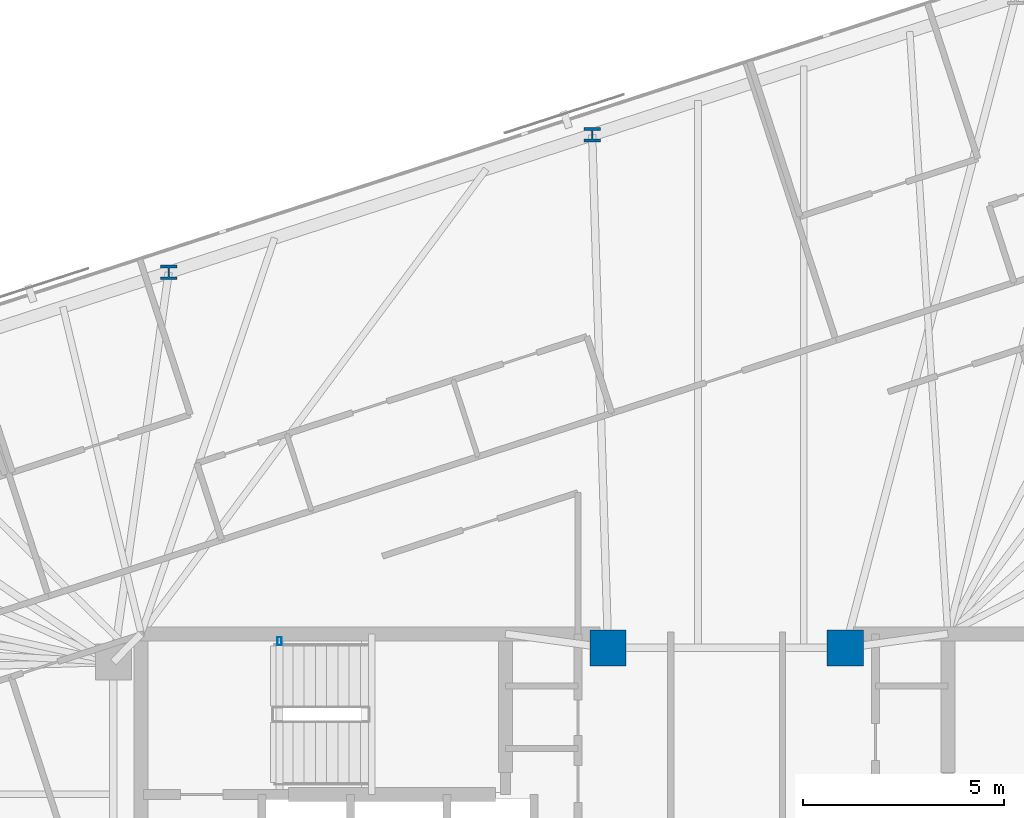
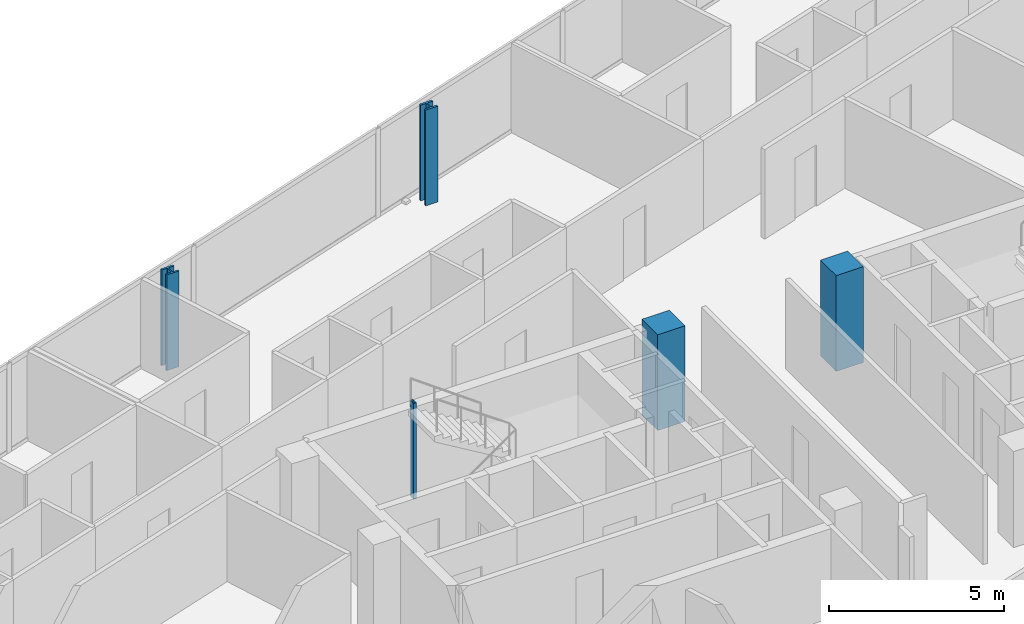
# One storey, part 2 of 20: 5 columns.
"""IFC4 building model written with IfcOpenShell, lengths in metres."""

from ifc_helpers import new_model, si_unit, direction, frame, origin, origin_2d, place, context, subcontext, project, spatial, rectangle, hollow_rectangle, i_section, extrude, material, material_profile, profile_set, type_object, element, save


model = new_model("IFC4")

# Units and contexts
model_context = context("Model", 3, precision=1e-05, world=origin(), true_north=direction((0.0, 1.0)))
body_context = subcontext(model_context, "Body", "Model", "MODEL_VIEW")
ifc_project = project(units=[si_unit("LENGTHUNIT", "METRE"), si_unit("AREAUNIT", "SQUARE_METRE"), si_unit("VOLUMEUNIT", "CUBIC_METRE"), si_unit("PLANEANGLEUNIT", "RADIAN"), si_unit("MASSUNIT", "GRAM", prefix="KILO")], contexts=[model_context])

# Site, building, storey
site_placement = place(None, origin())
site = spatial("IfcSite", under=ifc_project, at=site_placement, CompositionType="ELEMENT")
building_placement = place(site_placement, origin())
building = spatial("IfcBuilding", under=site, at=building_placement, Name="Menara Jurai Vektor", CompositionType="ELEMENT")
storey_placement = place(building_placement, frame((0.0, 0.0, 237.699951171875)))
storey = spatial("IfcBuildingStorey", under=building, at=storey_placement, Name="L63", CompositionType="ELEMENT", Elevation=237.699951171875)

# Columns
ifc_material_1 = material(Name="Concrete C50/60", Category="concrete")
ifc_material_profile_1 = material_profile(ifc_material_1, rectangle(XDim=0.89990234375, YDim=0.89990234375, at=origin_2d()), Name="RC 900x900")
ifc_profile_set_1 = profile_set([ifc_material_profile_1], Name="Concrete C50/60")
column_type_1 = type_object("IfcColumnType", Name="STR-COL-RC900", PredefinedType="COLUMN", material=ifc_profile_set_1)
for number, where, z_axis, x_axis, name in (
    (1, (-2.949951171875, 5.25, 0.0), (0.0, 0.0, 1.0), (1.0, 0.0, 0.0), "Core Spine Column CW-NE L63"),
    (2, (2.949951171875, 5.25, 0.0), (0.0, 0.0, 1.0), (1.0, 0.0, 0.0), "Core Spine Column CE-NW L63"),
):
    element("IfcColumn", number, at=place(storey_placement, frame(where, z_axis=z_axis, x_axis=x_axis)), inside=storey, type_object=column_type_1, Name=name, PredefinedType="COLUMN", context=body_context, shape_type="SweptSolid", body=[
        extrude(rectangle(XDim=0.89990234375, YDim=0.89990234375, at=origin_2d()), origin(), (0.0, 0.0, 1.0), 3.35009765625),
    ])
ifc_material_2 = material(Name="Steel S355", Category="steel")
ifc_material_profile_2 = material_profile(ifc_material_2, hollow_rectangle(XDim=0.10009765625, YDim=0.199951171875, WallThickness=0.008056640625, at=origin_2d()), Name="RHS 200x100x8")
ifc_profile_set_2 = profile_set([ifc_material_profile_2], Name="Steel S355")
column_type_2 = type_object("IfcColumnType", Name="STR-COL-STAIR", PredefinedType="COLUMN", material=ifc_profile_set_2)
column_placement = place(storey_placement, frame((-11.1201171875, 5.419921875, 0.0), z_axis=(0.0, 0.0, 1.0), x_axis=(1.0, 0.0, 0.0)))
element("IfcColumn", 3, at=column_placement, inside=storey, type_object=column_type_2, Name="Stair Well Header Column ST1-P2 L63", PredefinedType="COLUMN", context=body_context, shape_type="SweptSolid", body=[
    extrude(hollow_rectangle(XDim=0.10009765625, YDim=0.199951171875, WallThickness=0.008056640625, at=origin_2d()), origin(), (0.0, 0.0, 1.0), 3.35009765625),
])
ifc_material_3 = material(Name="Steel S460", Category="steel")
ifc_material_profile_3 = material_profile(ifc_material_3, i_section(OverallWidth=0.405029296875, OverallDepth=0.35498046875, WebThickness=0.0419921875, FlangeThickness=0.068115234375, FilletRadius=0.014892578125, at=origin_2d()), Name="HD 400x551")
ifc_profile_set_3 = profile_set([ifc_material_profile_3], Name="Steel S460")
column_type_3 = type_object("IfcColumnType", Name="STR-EXO-BLK4", PredefinedType="COLUMN", material=ifc_profile_set_3)
for number, where, z_axis, x_axis, name in (
    (4, (-3.345703125, 18.008544921875, 0.0), (0.0, 0.0, 1.0), (1.0, 0.0, 0.0), "Exoskeleton Column BLK4-N3 L63"),
    (5, (-13.875, 14.58740234375, 0.0), (0.0, 0.0, 1.0), (1.0, 0.0, 0.0), "Exoskeleton Column BLK4-N4 L63"),
):
    element("IfcColumn", number, at=place(storey_placement, frame(where, z_axis=z_axis, x_axis=x_axis)), inside=storey, type_object=column_type_3, Name=name, PredefinedType="COLUMN", context=body_context, shape_type="SweptSolid", body=[
        extrude(i_section(OverallWidth=0.405029296875, OverallDepth=0.35498046875, WebThickness=0.0419921875, FlangeThickness=0.068115234375, FilletRadius=0.014892578125, at=origin_2d()), origin(), (0.0, 0.0, 1.0), 3.35009765625),
    ])

save(model, "model.ifc")
